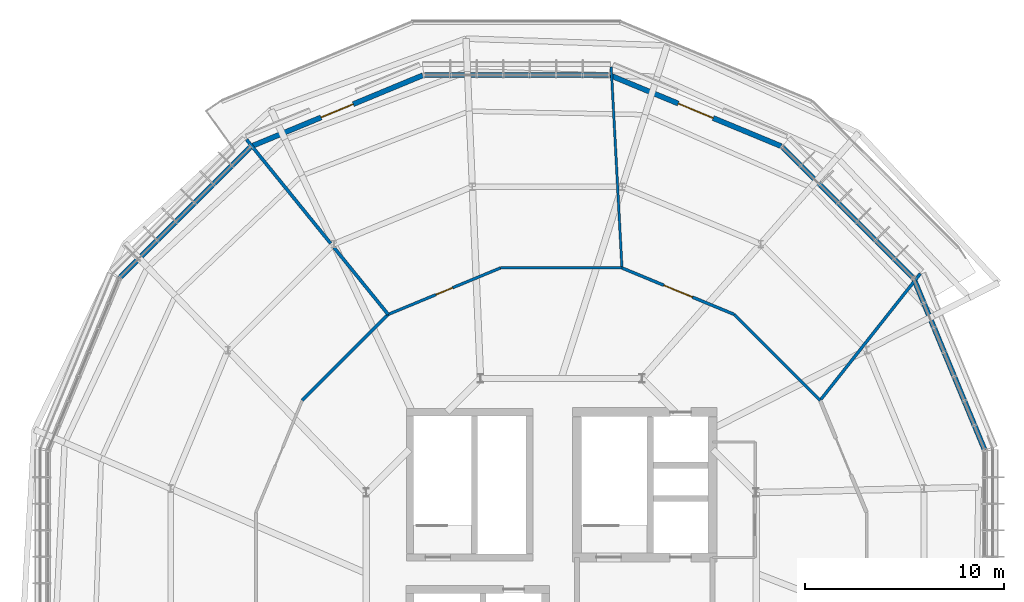
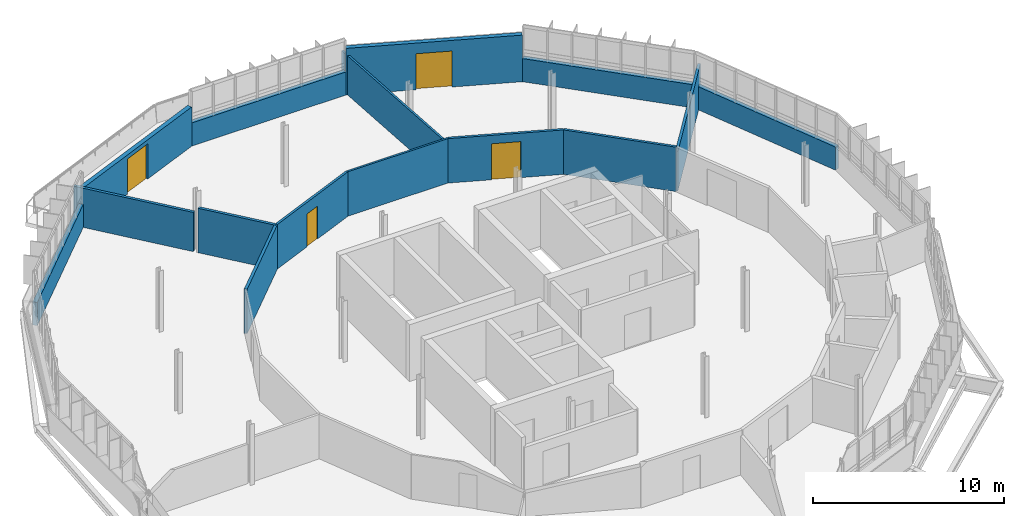
# One storey, part 28 of 31: 15 walls, 4 doors, 4 openings.
"""IFC4 building model written with IfcOpenShell, lengths in metres."""

import ifcopenshell
import ifcopenshell.guid

model = None  # the IFC model being written
_history = None  # IfcOwnerHistory: only IFC2X3 demands one
_inside = {}  # id of a spatial element -> (the spatial element, [elements in it])
_under = {}  # id of a project, library or spatial element -> (it, [spatial elements below it])
_declared = {}  # id of a project -> (the project, [libraries it declares])
_typed = {}  # id of a type object -> (the type object, [elements of that type])
_made_of = {}  # id of a material, layer set ... -> (it, [elements and type objects made of it])


def new_model(schema):
    """Start an empty IFC model of exactly this schema.

    Asked for "IFC4X3", IfcOpenShell would pick the latest addendum, in which some entities
    have other attributes; the version numbers below select the first issue.
    IFC2X3 requires an IfcOwnerHistory on every rooted entity: one is made here for all.
    """
    global model, _history
    if schema == "IFC4X3":
        model = ifcopenshell.file(schema_version=(4, 3, 0, 0))
    else:
        model = ifcopenshell.file(schema=schema)
    _inside.clear()
    _under.clear()
    _declared.clear()
    _typed.clear()
    _made_of.clear()
    _history = None
    if model.schema == "IFC2X3":
        org = make("IfcOrganization", Name="unknown")
        user = make(
            "IfcPersonAndOrganization",
            ThePerson=make("IfcPerson", FamilyName="unknown"),
            TheOrganization=org,
        )
        app = make(
            "IfcApplication",
            ApplicationDeveloper=org,
            Version="unknown",
            ApplicationFullName="unknown",
            ApplicationIdentifier="unknown",
        )
        _history = make(
            "IfcOwnerHistory",
            OwningUser=user,
            OwningApplication=app,
            ChangeAction="ADDED",
            CreationDate=0,
        )
    return model


def make(cls, **values):
    """One entity of the class cls with the attributes given. An attribute that is None is left unset."""
    return model.create_entity(
        cls, **{name: value for name, value in values.items() if value is not None}
    )


def rooted(cls, **values):
    """An entity with a GlobalId (a new one), such as an element, a storey or a relation."""
    return make(cls, GlobalId=ifcopenshell.guid.new(), OwnerHistory=_history, **values)


def si_unit(unit_type, name, prefix=None):
    """IfcSIUnit, for example si_unit("LENGTHUNIT", "METRE", prefix="MILLI")."""
    return make("IfcSIUnit", UnitType=unit_type, Prefix=prefix, Name=name)


def derived_unit(unit_type, elements):
    """IfcDerivedUnit: a product of units, each with its exponent."""
    return make(
        "IfcDerivedUnit",
        Elements=[
            make("IfcDerivedUnitElement", Unit=unit, Exponent=power)
            for unit, power in elements
        ],
        UnitType=unit_type,
    )


def assignment(units):
    """IfcUnitAssignment: the units of a project."""
    return None if units is None else make("IfcUnitAssignment", Units=units)


def point(xyz):
    """IfcCartesianPoint."""
    return None if xyz is None else make("IfcCartesianPoint", Coordinates=xyz)


def direction(xyz):
    """IfcDirection."""
    return None if xyz is None else make("IfcDirection", DirectionRatios=xyz)


def frame(location, z_axis=None, x_axis=None):
    """IfcAxis2Placement3D, a coordinate frame: its origin and axes. An axis left out is left unset."""
    return make(
        "IfcAxis2Placement3D",
        Location=point(location),
        Axis=direction(z_axis),
        RefDirection=direction(x_axis),
    )


def frame_2d(location, x_axis=None):
    """IfcAxis2Placement2D, a coordinate frame in the plane: its origin and x axis."""
    return make(
        "IfcAxis2Placement2D", Location=point(location), RefDirection=direction(x_axis)
    )


def origin():
    """The frame at (0, 0, 0) with its axes left unset."""
    return frame((0.0, 0.0, 0.0))


def place(relative_to, where):
    """IfcLocalPlacement: puts the frame where relative to a parent placement (None: the world)."""
    return make(
        "IfcLocalPlacement", PlacementRelTo=relative_to, RelativePlacement=where
    )


def context(
    kind, dimensions, precision=None, world=None, true_north=None, identifier=None
):
    """IfcGeometricRepresentationContext, for example the 3D "Model" context."""
    return make(
        "IfcGeometricRepresentationContext",
        ContextIdentifier=identifier,
        ContextType=kind,
        CoordinateSpaceDimension=dimensions,
        Precision=precision,
        WorldCoordinateSystem=world,
        TrueNorth=true_north,
    )


def subcontext(parent, identifier, kind, view, scale=None):
    """IfcGeometricRepresentationSubContext, for example "Body" below "Model"."""
    return make(
        "IfcGeometricRepresentationSubContext",
        ContextIdentifier=identifier,
        ContextType=kind,
        ParentContext=parent,
        TargetScale=scale,
        TargetView=view,
    )


def project(units=None, contexts=None):
    """IfcProject with its units and contexts."""
    return rooted(
        "IfcProject",
        Name="project",
        RepresentationContexts=contexts,
        UnitsInContext=assignment(units),
    )


def spatial(cls, under=None, at=None, **own):
    """A site, building, storey or space (cls), placed at a placement, below another one or the project."""
    s = rooted(cls, ObjectPlacement=at, **own)
    if under is not None:
        _under.setdefault(under.id(), (under, []))[1].append(s)
    return s


def profile(cls, at=None, kind="AREA", **sizes):
    """A parametric profile (cls). Its sizes go by their IFC names, for example OverallWidth=200.0."""
    return make(cls, ProfileType=kind, Position=at, **sizes)


def rectangle(**sizes):
    """IfcRectangleProfileDef."""
    return profile("IfcRectangleProfileDef", **sizes)


def extrude(swept, where, along, depth):
    """IfcExtrudedAreaSolid: the profile swept, set in the frame where, extruded along a direction by depth."""
    return make(
        "IfcExtrudedAreaSolid",
        SweptArea=swept,
        Position=where,
        ExtrudedDirection=direction(along),
        Depth=depth,
    )


def shape(context_of_items, identifier, shape_type, items):
    """IfcShapeRepresentation: the items that make up one representation, for example the "Body"."""
    return make(
        "IfcShapeRepresentation",
        ContextOfItems=context_of_items,
        RepresentationIdentifier=identifier,
        RepresentationType=shape_type,
        Items=items,
    )


def material(Name=None, Category=None):
    """IfcMaterial."""
    return make("IfcMaterial", Name=Name, Category=Category)


def layer(
    of_material, thickness, ventilated=None, Name=None, Category=None, Priority=None
):
    """IfcMaterialLayer: one layer of a wall or slab, of a material (None: an air gap)."""
    return make(
        "IfcMaterialLayer",
        Material=of_material,
        LayerThickness=thickness,
        IsVentilated=ventilated,
        Name=Name,
        Category=Category,
        Priority=Priority,
    )


def layer_set(layers, Name=None):
    """IfcMaterialLayerSet."""
    return make("IfcMaterialLayerSet", MaterialLayers=layers, LayerSetName=Name)


def made_of(thing, what):
    """Note that an element or type object is made of a material, layer set ...; save() writes the relation."""
    if what is not None:
        _made_of.setdefault(what.id(), (what, []))[1].append(thing)
    return thing


def type_object(cls, material=None, **own):
    """A type object (cls), such as IfcWallType, which elements share."""
    return made_of(rooted(cls, **own), material)


def element(
    cls,
    number,
    at=None,
    inside=None,
    cuts=None,
    type_object=None,
    material=None,
    context=None,
    identifier="Body",
    shape_type=None,
    held_by="IfcProductDefinitionShape",
    body=None,
    shapes=None,
    **own,
):
    """One element of the class cls, such as IfcWall. Its Tag is "e" and its number.

    at: its placement. inside: the storey or other place that contains it. cuts: it is an
    opening in that element (IfcRelVoidsElement). A single representation is given by context,
    identifier, shape_type and body (its items); several are given by shapes. held_by: the class
    of the entity that holds the representations. save() writes the other relations.
    """
    e = rooted(cls, Tag="e%d" % number, ObjectPlacement=at, **own)
    if body is not None:
        shapes = [shape(context, identifier, shape_type, body)]
    if shapes is not None:
        e.Representation = make(held_by, Representations=shapes)
    if inside is not None:
        _inside.setdefault(inside.id(), (inside, []))[1].append(e)
    if cuts is not None:
        rooted(
            "IfcRelVoidsElement", RelatingBuildingElement=cuts, RelatedOpeningElement=e
        )
    if type_object is not None:
        _typed.setdefault(type_object.id(), (type_object, []))[1].append(e)
    return made_of(e, material)


def fill(opening, filler):
    """IfcRelFillsElement: the door or window that sits in an opening."""
    return rooted(
        "IfcRelFillsElement",
        RelatingOpeningElement=opening,
        RelatedBuildingElement=filler,
    )


def aggregate(whole, parts):
    """IfcRelAggregates: a whole, such as a stair, and the parts it consists of."""
    return rooted("IfcRelAggregates", RelatingObject=whole, RelatedObjects=parts)


def save(model, path):
    """Write the relations noted so far, then the file.

    IfcRelAggregates (storeys below a building ...), IfcRelContainedInSpatialStructure (elements
    in a storey), IfcRelDefinesByType, IfcRelAssociatesMaterial and IfcRelDeclares: one each for
    every whole, place, type object, material and project.
    """
    for whole, parts in _under.values():
        aggregate(whole, parts)
    for where, things in _inside.values():
        rooted(
            "IfcRelContainedInSpatialStructure",
            RelatedElements=things,
            RelatingStructure=where,
        )
    for kind, things in _typed.values():
        rooted("IfcRelDefinesByType", RelatedObjects=things, RelatingType=kind)
    for what, things in _made_of.values():
        rooted("IfcRelAssociatesMaterial", RelatedObjects=things, RelatingMaterial=what)
    for by, libraries in _declared.values():
        rooted("IfcRelDeclares", RelatingContext=by, RelatedDefinitions=libraries)
    model.write(path)


model = new_model("IFC4")

# Units and contexts
model_context = context("Model", 3, precision=1e-05, world=origin(), true_north=direction((0.0, 1.0)))
body_context = subcontext(model_context, "Body", "Model", "MODEL_VIEW")
ifc_project = project(units=[si_unit("LENGTHUNIT", "METRE"), si_unit("AREAUNIT", "SQUARE_METRE"), si_unit("VOLUMEUNIT", "CUBIC_METRE"), si_unit("PLANEANGLEUNIT", "RADIAN"), si_unit("MASSUNIT", "GRAM", prefix="KILO"), derived_unit("THERMALTRANSMITTANCEUNIT", [(si_unit("MASSUNIT", "GRAM", prefix="KILO"), 1), (si_unit("TIMEUNIT", "SECOND"), -3), (si_unit("THERMODYNAMICTEMPERATUREUNIT", "KELVIN"), -1)])], contexts=[model_context])

# Site, building, storey
site_placement = place(None, origin())
site = spatial("IfcSite", under=ifc_project, at=site_placement, CompositionType="ELEMENT")
building_placement = place(site_placement, origin())
building = spatial("IfcBuilding", under=site, at=building_placement, Name="Makaiwela Harbour Ferry Terminal", CompositionType="ELEMENT")
storey_placement = place(building_placement, frame((0.0, 0.0, 21.60009765625)))
storey = spatial("IfcBuildingStorey", under=building, at=storey_placement, Name="L05", CompositionType="ELEMENT", Elevation=21.60009765625)

# Walls
ifc_material_1 = material(Name="Precast concrete f'c 40 MPa (6000 psi)", Category="concrete")
ifc_layer_1 = layer(ifc_material_1, 0.260009765625)
ifc_layer_set_1 = layer_set([ifc_layer_1], Name="Precast concrete f'c 40 MPa (6000 psi)")
wall_type_1 = type_object("IfcWallType", Name="ENV-WL-EXT260", PredefinedType="SOLIDWALL", material=ifc_layer_set_1)
wall_1_placement = place(storey_placement, frame((59.077392578125, 73.809814453125, 0.0), z_axis=(0.0, 0.0, 1.0), x_axis=(-0.382673140408, 0.923883795512, 0.0)))
element("IfcWall", 1, at=wall_1_placement, inside=storey, type_object=wall_type_1, Name="Drum Spandrel Backup Wall EW-L05-00", PredefinedType="SOLIDWALL", context=body_context, shape_type="SweptSolid", body=[
    extrude(rectangle(XDim=9.304443359375, YDim=0.260009765625, at=frame_2d((4.65234375, 0.0))), origin(), (0.0, 0.0, 1.0), 1.47998046875),
])
wall_2_placement = place(storey_placement, frame((55.484130859375, 82.454833984375, 0.0), z_axis=(0.0, 0.0, 1.0), x_axis=(-0.707106781187, 0.707106781187, 0.0)))
element("IfcWall", 2, at=wall_2_placement, inside=storey, type_object=wall_type_1, Name="Drum Spandrel Backup Wall EW-L05-01", PredefinedType="SOLIDWALL", context=body_context, shape_type="SweptSolid", body=[
    extrude(rectangle(XDim=9.3046875, YDim=0.260009765625, at=frame_2d((4.65234375, 0.0))), origin(), (0.0, 0.0, 1.0), 1.47998046875),
])

# Wall, opening, door
wall_3_placement = place(storey_placement, frame((48.85595703125, 89.06689453125, 0.0), z_axis=(0.0, 0.0, 1.0), x_axis=(-0.923889229931, 0.382660019884, 0.0)))
wall_3 = element("IfcWall", 3, at=wall_3_placement, inside=storey, type_object=wall_type_1, Name="Drum Exterior Wall EW-L05-02", PredefinedType="SOLIDWALL", context=body_context, shape_type="SweptSolid", body=[
    extrude(rectangle(XDim=9.30419921875, YDim=0.260009765625, at=frame_2d((4.652099609375, 0.0))), origin(), (0.0, 0.0, 1.0), 2.97900390625),
])
opening_1_placement = place(wall_3_placement, frame((3.7021484375, 0.0, 0.0)))
opening_1 = element("IfcOpeningElement", 4, at=opening_1_placement, cuts=wall_3, Name="Opening ED-06", PredefinedType="OPENING", context=body_context, shape_type="SweptSolid", body=[
    extrude(rectangle(XDim=1.89990234375, YDim=2.300048828125, at=frame_2d((0.949951171875, 1.14990234375))), frame((0.0, 0.139892578125, 0.0), z_axis=(0.0, -1.0, 0.0), x_axis=(1.0, 0.0, 0.0)), (0.0, 0.0, 1.0), 0.280029296875),
])
ifc_material_2 = material(Name="Marine anodised aluminium 6063-T6", Category="aluminium")
door_type_1 = type_object("IfcDoorType", Name="ENV-DR-TER190", OperationType="NOTDEFINED", PredefinedType="DOOR", material=ifc_material_2)
door_1_placement = place(opening_1_placement, frame((1.89990234375, 0.0, 0.0), z_axis=(0.0, 0.0, 1.0), x_axis=(-1.0, 0.0, 0.0)))
door_1 = element("IfcDoor", 5, at=door_1_placement, inside=storey, type_object=door_type_1, Name="Exterior Door ED-06", OperationType="DOUBLE_DOOR_SINGLE_SWING", OverallHeight=2.300048828125, OverallWidth=1.89990234375, PredefinedType="DOOR", context=body_context, shape_type="SweptSolid", body=[
    extrude(rectangle(XDim=1.89990234375, YDim=2.300048828125, at=frame_2d((0.949951171875, 1.14990234375))), frame((0.0, 0.02490234375, 0.0), z_axis=(0.0, -1.0, 0.0), x_axis=(1.0, 0.0, 0.0)), (0.0, 0.0, 1.0), 0.050048828125),
])
fill(opening_1, door_1)

# Wall
wall_4_placement = place(storey_placement, frame((40.2021484375, 92.638916015625, 0.0), z_axis=(0.0, 0.0, 1.0), x_axis=(-1.0, 0.0, 0.0)))
element("IfcWall", 6, at=wall_4_placement, inside=storey, type_object=wall_type_1, Name="Drum Spandrel Backup Wall EW-L05-03", PredefinedType="SOLIDWALL", context=body_context, shape_type="SweptSolid", body=[
    extrude(rectangle(XDim=9.304443359375, YDim=0.260009765625, at=frame_2d((4.65234375, 0.0))), origin(), (0.0, 0.0, 1.0), 1.47998046875),
])

# Wall, opening, door
wall_5_placement = place(storey_placement, frame((30.840087890625, 92.627197265625, 0.0), z_axis=(0.0, 0.0, 1.0), x_axis=(-0.923893072101, -0.382650743268, 0.0)))
wall_5 = element("IfcWall", 7, at=wall_5_placement, inside=storey, type_object=wall_type_1, Name="Drum Exterior Wall EW-L05-04", PredefinedType="SOLIDWALL", context=body_context, shape_type="SweptSolid", body=[
    extrude(rectangle(XDim=9.30419921875, YDim=0.260009765625, at=frame_2d((4.652099609375, 0.0))), origin(), (0.0, 0.0, 1.0), 2.5048828125),
])
opening_2_placement = place(wall_5_placement, frame((3.777099609375, 0.0, 0.0)))
opening_2 = element("IfcOpeningElement", 8, at=opening_2_placement, cuts=wall_5, Name="Opening ED-07", PredefinedType="OPENING", context=body_context, shape_type="SweptSolid", body=[
    extrude(rectangle(XDim=1.75, YDim=2.25, at=frame_2d((0.875, 1.125))), frame((0.0, 0.139892578125, 0.0), z_axis=(0.0, -1.0, 0.0), x_axis=(1.0, 0.0, 0.0)), (0.0, 0.0, 1.0), 0.280029296875),
])
door_type_2 = type_object("IfcDoorType", Name="ENV-DR-TER175", OperationType="NOTDEFINED", PredefinedType="DOOR", material=ifc_material_2)
door_2_placement = place(opening_2_placement, frame((1.75, 0.0, 0.0), z_axis=(0.0, 0.0, 1.0), x_axis=(-1.0, 0.0, 0.0)))
door_2 = element("IfcDoor", 9, at=door_2_placement, inside=storey, type_object=door_type_2, Name="Exterior Door ED-07", OperationType="DOUBLE_DOOR_SINGLE_SWING", OverallHeight=2.25, OverallWidth=1.75, PredefinedType="DOOR", context=body_context, shape_type="SweptSolid", body=[
    extrude(rectangle(XDim=1.75, YDim=2.25, at=frame_2d((0.875, 1.125))), frame((0.0, 0.02490234375, 0.0), z_axis=(0.0, -1.0, 0.0), x_axis=(1.0, 0.0, 0.0)), (0.0, 0.0, 1.0), 0.050048828125),
])
fill(opening_2, door_2)

# Walls
wall_6_placement = place(storey_placement, frame((22.195068359375, 89.0341796875, 0.0), z_axis=(0.0, 0.0, 1.0), x_axis=(-0.70709366147, -0.707119900659, 0.0)))
element("IfcWall", 10, at=wall_6_placement, inside=storey, type_object=wall_type_1, Name="Drum Spandrel Backup Wall EW-L05-05", PredefinedType="SOLIDWALL", context=body_context, shape_type="SweptSolid", body=[
    extrude(rectangle(XDim=9.304443359375, YDim=0.260009765625, at=frame_2d((4.65234375, 0.0))), origin(), (0.0, 0.0, 1.0), 1.47998046875),
])
ifc_material_3 = material(Name="Fire-rated gypsum board on steel studs", Category="steel")
ifc_layer_2 = layer(ifc_material_3, 0.1650390625)
ifc_layer_set_2 = layer_set([ifc_layer_2], Name="Fire-rated gypsum board on steel studs")
wall_type_2 = type_object("IfcWallType", Name="INT-WL-FIR165", PredefinedType="PARTITIONING", material=ifc_layer_set_2)
wall_7_placement = place(storey_placement, frame((29.105224609375, 80.612548828125, 0.0), z_axis=(0.0, 0.0, 1.0), x_axis=(-0.707086789759, -0.707126772049, 0.0)))
element("IfcWall", 11, at=wall_7_placement, inside=storey, type_object=wall_type_2, Name="Interior Wall IW-0402", PredefinedType="PARTITIONING", context=body_context, shape_type="SweptSolid", body=[
    extrude(rectangle(XDim=6.106201171875, YDim=0.1650390625, at=frame_2d((3.05322265625, 0.0))), origin(), (0.0, 0.0, 1.0), 2.8388671875),
])
wall_8_placement = place(storey_placement, frame((29.105224609375, 80.612548828125, 0.0), z_axis=(0.0, 0.0, 1.0), x_axis=(-0.62952074794, 0.776983672874, 0.0)))
element("IfcWall", 12, at=wall_8_placement, inside=storey, type_object=wall_type_2, Name="Interior Wall IW-0424", PredefinedType="PARTITIONING", context=body_context, shape_type="SweptSolid", body=[
    extrude(rectangle(XDim=4.332763671875, YDim=0.1650390625, at=frame_2d((2.16650390625, 0.0))), origin(), (0.0, 0.0, 1.0), 2.8388671875),
])
wall_9_placement = place(storey_placement, frame((26.212890625, 84.1826171875, 0.0), z_axis=(0.0, 0.0, 1.0), x_axis=(-0.629541466826, 0.776966885746, 0.0)))
element("IfcWall", 13, at=wall_9_placement, inside=storey, type_object=wall_type_2, Name="Interior Wall IW-0425", PredefinedType="PARTITIONING", context=body_context, shape_type="SweptSolid", body=[
    extrude(rectangle(XDim=6.710205078125, YDim=0.1650390625, at=frame_2d((3.35498046875, 0.0))), origin(), (0.0, 0.0, 1.0), 2.5048828125),
])
ifc_material_4 = material(Name="Moisture-resistant acoustic gypsum partition", Category="gypsum")
ifc_layer_3 = layer(ifc_material_4, 0.1201171875)
ifc_layer_set_3 = layer_set([ifc_layer_3], Name="Moisture-resistant acoustic gypsum partition")
wall_type_3 = type_object("IfcWallType", Name="INT-WL-PRT120", PredefinedType="PARTITIONING", material=ifc_layer_set_3)
wall_10_placement = place(storey_placement, frame((40.853271484375, 82.94921875, 0.0), z_axis=(0.0, 0.0, 1.0), x_axis=(-1.0, 0.0, 0.0)))
element("IfcWall", 14, at=wall_10_placement, inside=storey, type_object=wall_type_3, Name="Interior Wall IW-0400", PredefinedType="PARTITIONING", context=body_context, shape_type="SweptSolid", body=[
    extrude(rectangle(XDim=6.1064453125, YDim=0.1201171875, at=frame_2d((3.05322265625, 0.0))), origin(), (0.0, 0.0, 1.0), 2.8388671875),
])
wall_11_placement = place(storey_placement, frame((40.853271484375, 82.94921875, 0.0), z_axis=(0.0, 0.0, 1.0), x_axis=(-0.053532574169, 0.998566103722, 0.0)))
element("IfcWall", 15, at=wall_11_placement, inside=storey, type_object=wall_type_3, Name="Interior Wall IW-0423", PredefinedType="PARTITIONING", context=body_context, shape_type="SweptSolid", body=[
    extrude(rectangle(XDim=10.106201171875, YDim=0.1201171875, at=frame_2d((5.05322265625, 0.0))), origin(), (0.0, 0.0, 1.0), 2.5048828125),
])

# Wall, opening, door
ifc_layer_4 = layer(ifc_material_4, 0.139892578125)
ifc_layer_set_4 = layer_set([ifc_layer_4], Name="Moisture-resistant acoustic gypsum partition")
wall_type_4 = type_object("IfcWallType", Name="INT-WL-PRT140", PredefinedType="PARTITIONING", material=ifc_layer_set_4)
wall_12_placement = place(storey_placement, frame((34.746826171875, 82.94921875, 0.0), z_axis=(0.0, 0.0, 1.0), x_axis=(-0.92388867793, -0.382661352625, 0.0)))
wall_12 = element("IfcWall", 16, at=wall_12_placement, inside=storey, type_object=wall_type_4, Name="Interior Wall IW-0401", PredefinedType="PARTITIONING", context=body_context, shape_type="SweptSolid", body=[
    extrude(rectangle(XDim=6.1064453125, YDim=0.139892578125, at=frame_2d((3.05322265625, 0.0))), origin(), (0.0, 0.0, 1.0), 2.8388671875),
])
opening_3_placement = place(wall_12_placement, frame((2.603271484375, 0.0, 0.0)))
opening_3 = element("IfcOpeningElement", 17, at=opening_3_placement, cuts=wall_12, Name="Opening D-07", PredefinedType="OPENING", context=body_context, shape_type="SweptSolid", body=[
    extrude(rectangle(XDim=0.89990234375, YDim=2.10009765625, at=frame_2d((0.449951171875, 1.050048828125))), frame((0.0, 0.079833984375, 0.0), z_axis=(0.0, -1.0, 0.0), x_axis=(1.0, 0.0, 0.0)), (0.0, 0.0, 1.0), 0.159912109375),
])
ifc_material_5 = material(Name="Solid-core marine hardwood and painted steel frame", Category="steel")
door_type_3 = type_object("IfcDoorType", Name="INT-DR-RM090", OperationType="NOTDEFINED", PredefinedType="DOOR", material=ifc_material_5)
door_3_placement = place(opening_3_placement, frame((0.89990234375, 0.0, 0.0), z_axis=(0.0, 0.0, 1.0), x_axis=(-1.0, 0.0, 0.0)))
door_3 = element("IfcDoor", 18, at=door_3_placement, inside=storey, type_object=door_type_3, Name="Door D-07", OperationType="SINGLE_SWING_LEFT", OverallHeight=2.10009765625, OverallWidth=0.89990234375, PredefinedType="DOOR", context=body_context, shape_type="SweptSolid", body=[
    extrude(rectangle(XDim=0.89990234375, YDim=2.10009765625, at=frame_2d((0.449951171875, 1.050048828125))), frame((0.0, 0.02490234375, 0.0), z_axis=(0.0, -1.0, 0.0), x_axis=(1.0, 0.0, 0.0)), (0.0, 0.0, 1.0), 0.050048828125),
])
fill(opening_3, door_3)

# Wall
ifc_layer_5 = layer(ifc_material_4, 0.14990234375)
ifc_layer_set_5 = layer_set([ifc_layer_5], Name="Moisture-resistant acoustic gypsum partition")
wall_type_5 = type_object("IfcWallType", Name="INT-WL-PRT150", PredefinedType="PARTITIONING", material=ifc_layer_set_5)
wall_13_placement = place(storey_placement, frame((50.8125, 76.294677734375, 0.0), z_axis=(0.0, 0.0, 1.0), x_axis=(-0.707106781187, 0.707106781187, 0.0)))
element("IfcWall", 19, at=wall_13_placement, inside=storey, type_object=wall_type_5, Name="Interior Wall IW-0398", PredefinedType="PARTITIONING", context=body_context, shape_type="SweptSolid", body=[
    extrude(rectangle(XDim=6.1064453125, YDim=0.14990234375, at=frame_2d((3.05322265625, 0.0))), origin(), (0.0, 0.0, 1.0), 2.8388671875),
])

# Wall, opening, door
wall_14_placement = place(storey_placement, frame((46.49462890625, 80.612548828125, 0.0), z_axis=(0.0, 0.0, 1.0), x_axis=(-0.92388282315, 0.382675487963, 0.0)))
wall_14 = element("IfcWall", 20, at=wall_14_placement, inside=storey, type_object=wall_type_5, Name="Interior Wall IW-0399", PredefinedType="PARTITIONING", context=body_context, shape_type="SweptSolid", body=[
    extrude(rectangle(XDim=6.106201171875, YDim=0.14990234375, at=frame_2d((3.05322265625, 0.0))), origin(), (0.0, 0.0, 1.0), 2.8388671875),
])
opening_4_placement = place(wall_14_placement, frame((2.2783203125, 0.0, 0.0)))
opening_4 = element("IfcOpeningElement", 21, at=opening_4_placement, cuts=wall_14, Name="Opening D-21", PredefinedType="OPENING", context=body_context, shape_type="SweptSolid", body=[
    extrude(rectangle(XDim=1.550048828125, YDim=2.300048828125, at=frame_2d((0.77490234375, 1.14990234375))), frame((0.0, 0.0849609375, 0.0), z_axis=(0.0, -1.0, 0.0), x_axis=(1.0, 0.0, 0.0)), (0.0, 0.0, 1.0), 0.169921875),
])
door_type_4 = type_object("IfcDoorType", Name="INT-DR-VIP155", OperationType="NOTDEFINED", PredefinedType="DOOR", material=ifc_material_5)
door_4_placement = place(opening_4_placement, frame((1.550048828125, 0.0, 0.0), z_axis=(0.0, 0.0, 1.0), x_axis=(-1.0, 0.0, 0.0)))
door_4 = element("IfcDoor", 22, at=door_4_placement, inside=storey, type_object=door_type_4, Name="Door D-21", OperationType="DOUBLE_DOOR_SINGLE_SWING", OverallHeight=2.300048828125, OverallWidth=1.550048828125, PredefinedType="DOOR", context=body_context, shape_type="SweptSolid", body=[
    extrude(rectangle(XDim=1.550048828125, YDim=2.300048828125, at=frame_2d((0.77490234375, 1.14990234375))), frame((0.0, 0.02490234375, 0.0), z_axis=(0.0, -1.0, 0.0), x_axis=(1.0, 0.0, 0.0)), (0.0, 0.0, 1.0), 0.050048828125),
])
fill(opening_4, door_4)

# Wall
wall_15_placement = place(storey_placement, frame((50.8125, 76.294677734375, 0.0), z_axis=(0.0, 0.0, 1.0), x_axis=(0.620187374942, 0.784453707979, 0.0)))
element("IfcWall", 23, at=wall_15_placement, inside=storey, type_object=wall_type_5, Name="Interior Wall IW-0422", PredefinedType="PARTITIONING", context=body_context, shape_type="SweptSolid", body=[
    extrude(rectangle(XDim=8.116455078125, YDim=0.14990234375, at=frame_2d((4.05810546875, 0.0))), origin(), (0.0, 0.0, 1.0), 2.5048828125),
])

save(model, "model.ifc")
